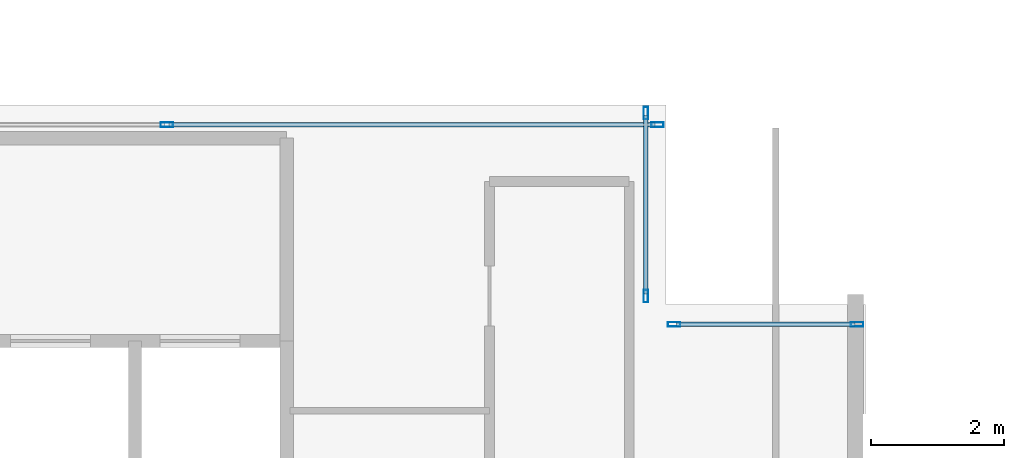
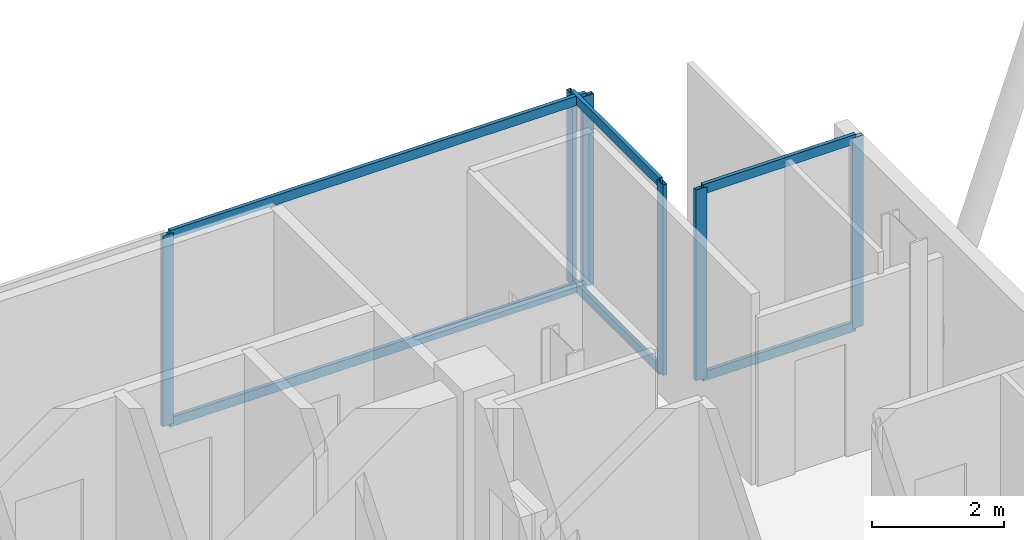
# One storey, part 12 of 22: 12 members, 3 elements without a shape of their own.
"""IFC4 building model written with IfcOpenShell, lengths in metres."""

import ifcopenshell
import ifcopenshell.guid

model = None  # the IFC model being written
_history = None  # IfcOwnerHistory: only IFC2X3 demands one
_inside = {}  # id of a spatial element -> (the spatial element, [elements in it])
_under = {}  # id of a project, library or spatial element -> (it, [spatial elements below it])
_declared = {}  # id of a project -> (the project, [libraries it declares])
_typed = {}  # id of a type object -> (the type object, [elements of that type])
_made_of = {}  # id of a material, layer set ... -> (it, [elements and type objects made of it])


def new_model(schema):
    """Start an empty IFC model of exactly this schema.

    Asked for "IFC4X3", IfcOpenShell would pick the latest addendum, in which some entities
    have other attributes; the version numbers below select the first issue.
    IFC2X3 requires an IfcOwnerHistory on every rooted entity: one is made here for all.
    """
    global model, _history
    if schema == "IFC4X3":
        model = ifcopenshell.file(schema_version=(4, 3, 0, 0))
    else:
        model = ifcopenshell.file(schema=schema)
    _inside.clear()
    _under.clear()
    _declared.clear()
    _typed.clear()
    _made_of.clear()
    _history = None
    if model.schema == "IFC2X3":
        org = make("IfcOrganization", Name="unknown")
        user = make(
            "IfcPersonAndOrganization",
            ThePerson=make("IfcPerson", FamilyName="unknown"),
            TheOrganization=org,
        )
        app = make(
            "IfcApplication",
            ApplicationDeveloper=org,
            Version="unknown",
            ApplicationFullName="unknown",
            ApplicationIdentifier="unknown",
        )
        _history = make(
            "IfcOwnerHistory",
            OwningUser=user,
            OwningApplication=app,
            ChangeAction="ADDED",
            CreationDate=0,
        )
    return model


def make(cls, **values):
    """One entity of the class cls with the attributes given. An attribute that is None is left unset."""
    return model.create_entity(
        cls, **{name: value for name, value in values.items() if value is not None}
    )


def rooted(cls, **values):
    """An entity with a GlobalId (a new one), such as an element, a storey or a relation."""
    return make(cls, GlobalId=ifcopenshell.guid.new(), OwnerHistory=_history, **values)


def si_unit(unit_type, name, prefix=None):
    """IfcSIUnit, for example si_unit("LENGTHUNIT", "METRE", prefix="MILLI")."""
    return make("IfcSIUnit", UnitType=unit_type, Prefix=prefix, Name=name)


def assignment(units):
    """IfcUnitAssignment: the units of a project."""
    return None if units is None else make("IfcUnitAssignment", Units=units)


def point(xyz):
    """IfcCartesianPoint."""
    return None if xyz is None else make("IfcCartesianPoint", Coordinates=xyz)


def direction(xyz):
    """IfcDirection."""
    return None if xyz is None else make("IfcDirection", DirectionRatios=xyz)


def frame(location, z_axis=None, x_axis=None):
    """IfcAxis2Placement3D, a coordinate frame: its origin and axes. An axis left out is left unset."""
    return make(
        "IfcAxis2Placement3D",
        Location=point(location),
        Axis=direction(z_axis),
        RefDirection=direction(x_axis),
    )


def frame_2d(location, x_axis=None):
    """IfcAxis2Placement2D, a coordinate frame in the plane: its origin and x axis."""
    return make(
        "IfcAxis2Placement2D", Location=point(location), RefDirection=direction(x_axis)
    )


def origin():
    """The frame at (0, 0, 0) with its axes left unset."""
    return frame((0.0, 0.0, 0.0))


def origin_2d():
    """The frame at (0, 0) in the plane with its x axis left unset."""
    return frame_2d((0.0, 0.0))


def place(relative_to, where):
    """IfcLocalPlacement: puts the frame where relative to a parent placement (None: the world)."""
    return make(
        "IfcLocalPlacement", PlacementRelTo=relative_to, RelativePlacement=where
    )


def context(
    kind, dimensions, precision=None, world=None, true_north=None, identifier=None
):
    """IfcGeometricRepresentationContext, for example the 3D "Model" context."""
    return make(
        "IfcGeometricRepresentationContext",
        ContextIdentifier=identifier,
        ContextType=kind,
        CoordinateSpaceDimension=dimensions,
        Precision=precision,
        WorldCoordinateSystem=world,
        TrueNorth=true_north,
    )


def subcontext(parent, identifier, kind, view, scale=None):
    """IfcGeometricRepresentationSubContext, for example "Body" below "Model"."""
    return make(
        "IfcGeometricRepresentationSubContext",
        ContextIdentifier=identifier,
        ContextType=kind,
        ParentContext=parent,
        TargetScale=scale,
        TargetView=view,
    )


def project(units=None, contexts=None):
    """IfcProject with its units and contexts."""
    return rooted(
        "IfcProject",
        Name="project",
        RepresentationContexts=contexts,
        UnitsInContext=assignment(units),
    )


def spatial(cls, under=None, at=None, **own):
    """A site, building, storey or space (cls), placed at a placement, below another one or the project."""
    s = rooted(cls, ObjectPlacement=at, **own)
    if under is not None:
        _under.setdefault(under.id(), (under, []))[1].append(s)
    return s


def profile(cls, at=None, kind="AREA", **sizes):
    """A parametric profile (cls). Its sizes go by their IFC names, for example OverallWidth=200.0."""
    return make(cls, ProfileType=kind, Position=at, **sizes)


def hollow_rectangle(**sizes):
    """IfcRectangleHollowProfileDef."""
    return profile("IfcRectangleHollowProfileDef", **sizes)


def extrude(swept, where, along, depth):
    """IfcExtrudedAreaSolid: the profile swept, set in the frame where, extruded along a direction by depth."""
    return make(
        "IfcExtrudedAreaSolid",
        SweptArea=swept,
        Position=where,
        ExtrudedDirection=direction(along),
        Depth=depth,
    )


def shape(context_of_items, identifier, shape_type, items):
    """IfcShapeRepresentation: the items that make up one representation, for example the "Body"."""
    return make(
        "IfcShapeRepresentation",
        ContextOfItems=context_of_items,
        RepresentationIdentifier=identifier,
        RepresentationType=shape_type,
        Items=items,
    )


def material(Name=None, Category=None):
    """IfcMaterial."""
    return make("IfcMaterial", Name=Name, Category=Category)


def layer(
    of_material, thickness, ventilated=None, Name=None, Category=None, Priority=None
):
    """IfcMaterialLayer: one layer of a wall or slab, of a material (None: an air gap)."""
    return make(
        "IfcMaterialLayer",
        Material=of_material,
        LayerThickness=thickness,
        IsVentilated=ventilated,
        Name=Name,
        Category=Category,
        Priority=Priority,
    )


def layer_set(layers, Name=None):
    """IfcMaterialLayerSet."""
    return make("IfcMaterialLayerSet", MaterialLayers=layers, LayerSetName=Name)


def material_profile(
    of_material, cross_section, Name=None, Category=None, Priority=None
):
    """IfcMaterialProfile: a cross section and its material."""
    return make(
        "IfcMaterialProfile",
        Name=Name,
        Material=of_material,
        Profile=cross_section,
        Priority=Priority,
        Category=Category,
    )


def profile_set(profiles, Name=None, composite=None):
    """IfcMaterialProfileSet."""
    return make(
        "IfcMaterialProfileSet",
        Name=Name,
        MaterialProfiles=profiles,
        CompositeProfile=composite,
    )


def made_of(thing, what):
    """Note that an element or type object is made of a material, layer set ...; save() writes the relation."""
    if what is not None:
        _made_of.setdefault(what.id(), (what, []))[1].append(thing)
    return thing


def type_object(cls, material=None, **own):
    """A type object (cls), such as IfcWallType, which elements share."""
    return made_of(rooted(cls, **own), material)


def element(
    cls,
    number,
    at=None,
    inside=None,
    cuts=None,
    type_object=None,
    material=None,
    context=None,
    identifier="Body",
    shape_type=None,
    held_by="IfcProductDefinitionShape",
    body=None,
    shapes=None,
    **own,
):
    """One element of the class cls, such as IfcWall. Its Tag is "e" and its number.

    at: its placement. inside: the storey or other place that contains it. cuts: it is an
    opening in that element (IfcRelVoidsElement). A single representation is given by context,
    identifier, shape_type and body (its items); several are given by shapes. held_by: the class
    of the entity that holds the representations. save() writes the other relations.
    """
    e = rooted(cls, Tag="e%d" % number, ObjectPlacement=at, **own)
    if body is not None:
        shapes = [shape(context, identifier, shape_type, body)]
    if shapes is not None:
        e.Representation = make(held_by, Representations=shapes)
    if inside is not None:
        _inside.setdefault(inside.id(), (inside, []))[1].append(e)
    if cuts is not None:
        rooted(
            "IfcRelVoidsElement", RelatingBuildingElement=cuts, RelatedOpeningElement=e
        )
    if type_object is not None:
        _typed.setdefault(type_object.id(), (type_object, []))[1].append(e)
    return made_of(e, material)


def aggregate(whole, parts):
    """IfcRelAggregates: a whole, such as a stair, and the parts it consists of."""
    return rooted("IfcRelAggregates", RelatingObject=whole, RelatedObjects=parts)


def save(model, path):
    """Write the relations noted so far, then the file.

    IfcRelAggregates (storeys below a building ...), IfcRelContainedInSpatialStructure (elements
    in a storey), IfcRelDefinesByType, IfcRelAssociatesMaterial and IfcRelDeclares: one each for
    every whole, place, type object, material and project.
    """
    for whole, parts in _under.values():
        aggregate(whole, parts)
    for where, things in _inside.values():
        rooted(
            "IfcRelContainedInSpatialStructure",
            RelatedElements=things,
            RelatingStructure=where,
        )
    for kind, things in _typed.values():
        rooted("IfcRelDefinesByType", RelatedObjects=things, RelatingType=kind)
    for what, things in _made_of.values():
        rooted("IfcRelAssociatesMaterial", RelatedObjects=things, RelatingMaterial=what)
    for by, libraries in _declared.values():
        rooted("IfcRelDeclares", RelatingContext=by, RelatedDefinitions=libraries)
    model.write(path)


model = new_model("IFC4")

# Units and contexts
model_context = context("Model", 3, precision=1e-05, world=origin(), true_north=direction((0.0, 1.0)))
body_context = subcontext(model_context, "Body", "Model", "MODEL_VIEW")
ifc_project = project(units=[si_unit("LENGTHUNIT", "METRE"), si_unit("AREAUNIT", "SQUARE_METRE"), si_unit("VOLUMEUNIT", "CUBIC_METRE"), si_unit("PLANEANGLEUNIT", "RADIAN"), si_unit("MASSUNIT", "GRAM", prefix="KILO"), si_unit("THERMODYNAMICTEMPERATUREUNIT", "KELVIN"), si_unit("POWERUNIT", "WATT")], contexts=[model_context])

# Site, building, storey
site_placement = place(None, origin())
site = spatial("IfcSite", under=ifc_project, at=site_placement, CompositionType="ELEMENT")
building_placement = place(site_placement, origin())
building = spatial("IfcBuilding", under=site, at=building_placement, Name="Svarakhadi Broadcast Tower", CompositionType="ELEMENT")
storey_placement = place(building_placement, frame((0.0, 0.0, 191.699951171875)))
storey = spatial("IfcBuildingStorey", under=building, at=storey_placement, Name="L47", CompositionType="ELEMENT", Elevation=191.699951171875)

# Curtain wall, members
ifc_material = material(Name="Anodised Bronze Aluminium AA 6063-T6", Category="aluminium")
ifc_layer = layer(ifc_material, 0.18994140625)
ifc_layer_set = layer_set([ifc_layer], Name="Anodised Bronze Aluminium AA 6063-T6")
curtain_wall_type = type_object("IfcCurtainWallType", Name="CW_Sys_04", PredefinedType="NOTDEFINED", material=ifc_layer_set)
curtain_wall_1_placement = place(storey_placement, origin())
curtain_wall_1 = element("IfcCurtainWall", 1, at=curtain_wall_1_placement, inside=storey, type_object=curtain_wall_type, Name="L47 Unitised Facade Curtain Wall 10", PredefinedType="NOTDEFINED")
ifc_material_profile_1 = material_profile(ifc_material, hollow_rectangle(XDim=0.070068359375, YDim=0.18994140625, WallThickness=0.005615234375, at=origin_2d()), Name="ALU MULLION 190x70x6")
ifc_profile_set_1 = profile_set([ifc_material_profile_1], Name="Anodised Bronze Aluminium AA 6063-T6")
member_type_1 = type_object("IfcMemberType", Name="CW_Sys_04_Mul", PredefinedType="MULLION", material=ifc_profile_set_1)
member_1_placement = place(storey_placement, frame((31.5, 23.699951171875, 0.0), z_axis=(0.0, 0.0, 1.0), x_axis=(0.0, 1.0, 0.0)))
member_1 = element("IfcMember", 2, at=member_1_placement, type_object=member_type_1, Name="CW-04 mullion 2", PredefinedType="MULLION", context=body_context, shape_type="SweptSolid", body=[
    extrude(hollow_rectangle(XDim=0.070068359375, YDim=0.18994140625, WallThickness=0.005615234375, at=origin_2d()), origin(), (0.0, 0.0, 1.0), 3.5400390625),
])
member_2_placement = place(storey_placement, frame((38.875, 23.699951171875, 0.0), z_axis=(0.0, 0.0, 1.0), x_axis=(0.0, 1.0, 0.0)))
member_2 = element("IfcMember", 3, at=member_2_placement, type_object=member_type_1, Name="CW-04 mullion 3", PredefinedType="MULLION", context=body_context, shape_type="SweptSolid", body=[
    extrude(hollow_rectangle(XDim=0.070068359375, YDim=0.18994140625, WallThickness=0.005615234375, at=origin_2d()), origin(), (0.0, 0.0, 1.0), 3.5400390625),
])

curtain_wall_2_placement = place(storey_placement, origin())
curtain_wall_2 = element("IfcCurtainWall", 4, at=curtain_wall_2_placement, inside=storey, type_object=curtain_wall_type, Name="L47 Unitised Facade Curtain Wall 11", PredefinedType="NOTDEFINED")
member_3_placement = place(storey_placement, frame((38.699951171875, 23.875, 0.0), z_axis=(0.0, 0.0, 1.0), x_axis=(1.0, 0.0, 0.0)))
member_3 = element("IfcMember", 5, at=member_3_placement, type_object=member_type_1, Name="CW-04 mullion 1", PredefinedType="MULLION", context=body_context, shape_type="SweptSolid", body=[
    extrude(hollow_rectangle(XDim=0.070068359375, YDim=0.18994140625, WallThickness=0.005615234375, at=origin_2d()), origin(), (0.0, 0.0, 1.0), 3.5400390625),
])
member_4_placement = place(storey_placement, frame((38.699951171875, 21.125, 0.0), z_axis=(0.0, 0.0, 1.0), x_axis=(1.0, 0.0, 0.0)))
member_4 = element("IfcMember", 6, at=member_4_placement, type_object=member_type_1, Name="CW-04 mullion 2", PredefinedType="MULLION", context=body_context, shape_type="SweptSolid", body=[
    extrude(hollow_rectangle(XDim=0.070068359375, YDim=0.18994140625, WallThickness=0.005615234375, at=origin_2d()), origin(), (0.0, 0.0, 1.0), 3.5400390625),
])

curtain_wall_3_placement = place(storey_placement, origin())
curtain_wall_3 = element("IfcCurtainWall", 7, at=curtain_wall_3_placement, inside=storey, type_object=curtain_wall_type, Name="L47 Unitised Facade Curtain Wall 12", PredefinedType="NOTDEFINED")
member_5_placement = place(storey_placement, frame((39.125, 20.699951171875, 0.0), z_axis=(0.0, 0.0, 1.0), x_axis=(0.0, 1.0, 0.0)))
member_5 = element("IfcMember", 8, at=member_5_placement, type_object=member_type_1, Name="CW-04 mullion 1", PredefinedType="MULLION", context=body_context, shape_type="SweptSolid", body=[
    extrude(hollow_rectangle(XDim=0.070068359375, YDim=0.18994140625, WallThickness=0.005615234375, at=origin_2d()), origin(), (0.0, 0.0, 1.0), 3.5400390625),
])
member_6_placement = place(storey_placement, frame((41.875, 20.699951171875, 0.0), z_axis=(0.0, 0.0, 1.0), x_axis=(0.0, 1.0, 0.0)))
member_6 = element("IfcMember", 9, at=member_6_placement, type_object=member_type_1, Name="CW-04 mullion 2", PredefinedType="MULLION", context=body_context, shape_type="SweptSolid", body=[
    extrude(hollow_rectangle(XDim=0.070068359375, YDim=0.18994140625, WallThickness=0.005615234375, at=origin_2d()), origin(), (0.0, 0.0, 1.0), 3.5400390625),
])

# Member
ifc_material_profile_2 = material_profile(ifc_material, hollow_rectangle(XDim=0.06494140625, YDim=0.175048828125, WallThickness=0.0048828125, at=origin_2d()), Name="ALU TRANSOM 175x65x5")
ifc_profile_set_2 = profile_set([ifc_material_profile_2], Name="Anodised Bronze Aluminium AA 6063-T6")
member_type_2 = type_object("IfcMemberType", Name="CW_Sys_04_Trn", PredefinedType="USERDEFINED", material=ifc_profile_set_2)
member_7_placement = place(storey_placement, frame((31.534912109375, 23.699951171875, 0.032470703125), z_axis=(1.0, 0.0, 0.0), x_axis=(0.0, 1.0, 0.0)))
member_7 = element("IfcMember", 10, at=member_7_placement, type_object=member_type_2, Name="CW-04 transom 2.1", ObjectType="TRANSOM", PredefinedType="USERDEFINED", context=body_context, shape_type="SweptSolid", body=[
    extrude(hollow_rectangle(XDim=0.06494140625, YDim=0.175048828125, WallThickness=0.0048828125, at=origin_2d()), origin(), (0.0, 0.0, 1.0), 7.30517578125),
])

member_8_placement = place(storey_placement, frame((31.534912109375, 23.699951171875, 3.507568359375), z_axis=(1.0, 0.0, 0.0), x_axis=(0.0, 1.0, 0.0)))
member_8 = element("IfcMember", 11, at=member_8_placement, type_object=member_type_2, Name="CW-04 transom 2.2", ObjectType="TRANSOM", PredefinedType="USERDEFINED", context=body_context, shape_type="SweptSolid", body=[
    extrude(hollow_rectangle(XDim=0.06494140625, YDim=0.175048828125, WallThickness=0.0048828125, at=origin_2d()), origin(), (0.0, 0.0, 1.0), 7.30517578125),
])

aggregate(curtain_wall_1, [member_1, member_2, member_7, member_8])

member_9_placement = place(storey_placement, frame((38.699951171875, 23.840087890625, 0.032470703125), z_axis=(0.0, -1.0, 0.0), x_axis=(1.0, 0.0, 0.0)))
member_9 = element("IfcMember", 12, at=member_9_placement, type_object=member_type_2, Name="CW-04 transom 1.1", ObjectType="TRANSOM", PredefinedType="USERDEFINED", context=body_context, shape_type="SweptSolid", body=[
    extrude(hollow_rectangle(XDim=0.06494140625, YDim=0.175048828125, WallThickness=0.0048828125, at=origin_2d()), origin(), (0.0, 0.0, 1.0), 2.68017578125),
])

member_10_placement = place(storey_placement, frame((38.699951171875, 23.840087890625, 3.507568359375), z_axis=(0.0, -1.0, 0.0), x_axis=(1.0, 0.0, 0.0)))
member_10 = element("IfcMember", 13, at=member_10_placement, type_object=member_type_2, Name="CW-04 transom 1.2", ObjectType="TRANSOM", PredefinedType="USERDEFINED", context=body_context, shape_type="SweptSolid", body=[
    extrude(hollow_rectangle(XDim=0.06494140625, YDim=0.175048828125, WallThickness=0.0048828125, at=origin_2d()), origin(), (0.0, 0.0, 1.0), 2.68017578125),
])

aggregate(curtain_wall_2, [member_3, member_4, member_9, member_10])

member_11_placement = place(storey_placement, frame((39.159912109375, 20.699951171875, 0.032470703125), z_axis=(1.0, 0.0, 0.0), x_axis=(0.0, 1.0, 0.0)))
member_11 = element("IfcMember", 14, at=member_11_placement, type_object=member_type_2, Name="CW-04 transom 1.1", ObjectType="TRANSOM", PredefinedType="USERDEFINED", context=body_context, shape_type="SweptSolid", body=[
    extrude(hollow_rectangle(XDim=0.06494140625, YDim=0.175048828125, WallThickness=0.0048828125, at=origin_2d()), origin(), (0.0, 0.0, 1.0), 2.68017578125),
])

member_12_placement = place(storey_placement, frame((39.159912109375, 20.699951171875, 3.507568359375), z_axis=(1.0, 0.0, 0.0), x_axis=(0.0, 1.0, 0.0)))
member_12 = element("IfcMember", 15, at=member_12_placement, type_object=member_type_2, Name="CW-04 transom 1.2", ObjectType="TRANSOM", PredefinedType="USERDEFINED", context=body_context, shape_type="SweptSolid", body=[
    extrude(hollow_rectangle(XDim=0.06494140625, YDim=0.175048828125, WallThickness=0.0048828125, at=origin_2d()), origin(), (0.0, 0.0, 1.0), 2.68017578125),
])

aggregate(curtain_wall_3, [member_5, member_6, member_11, member_12])

save(model, "model.ifc")
